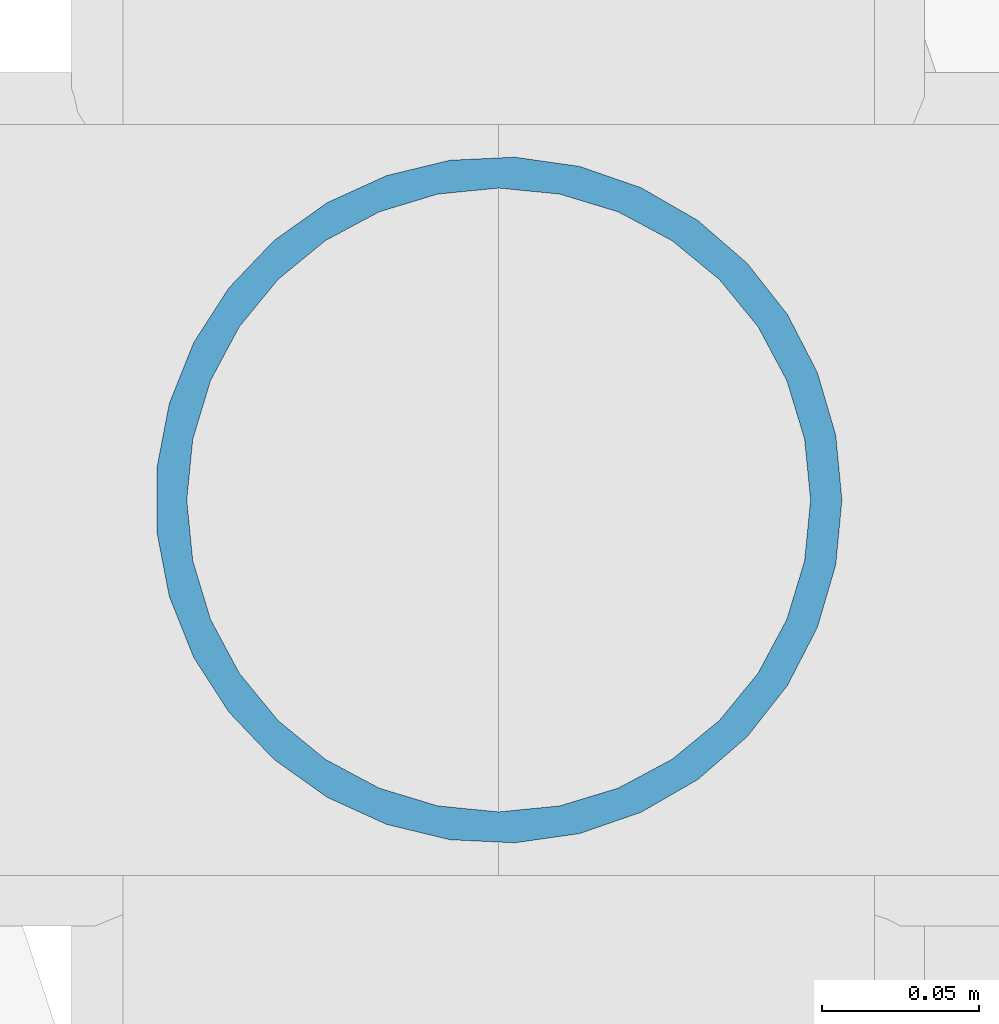
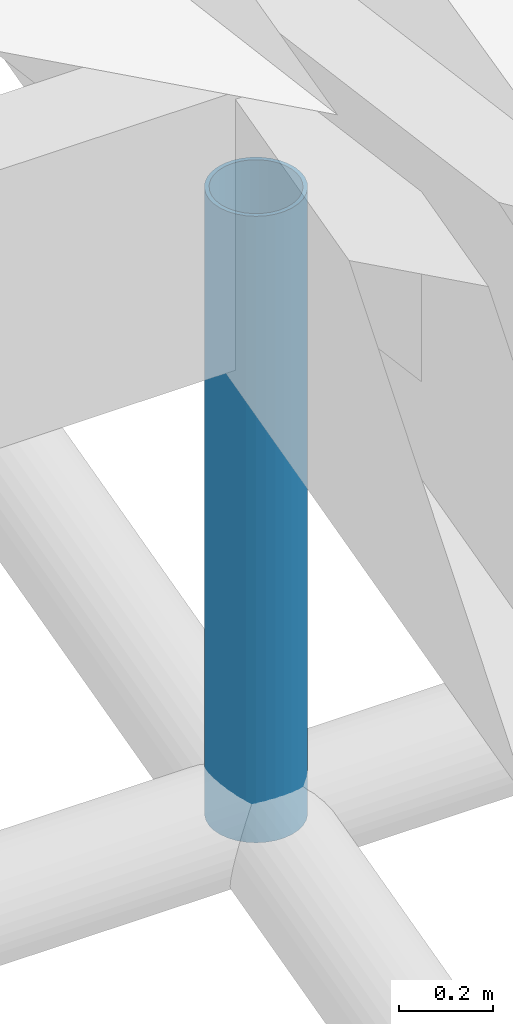
# One storey, part 26 of 80: 1 member.
"""IFC4 building model written with IfcOpenShell, lengths in metres."""

from ifc_helpers import new_model, si_unit, direction, frame, origin, origin_2d, place, context, subcontext, project, spatial, hollow_circle, extrude, material, material_profile, profile_set, type_object, element, save


model = new_model("IFC4")

# Units and contexts
model_context = context("Model", 3, precision=1e-05, world=origin(), true_north=direction((0.0, 1.0)))
body_context = subcontext(model_context, "Body", "Model", "MODEL_VIEW")
ifc_project = project(units=[si_unit("LENGTHUNIT", "METRE"), si_unit("AREAUNIT", "SQUARE_METRE"), si_unit("VOLUMEUNIT", "CUBIC_METRE"), si_unit("PLANEANGLEUNIT", "RADIAN"), si_unit("MASSUNIT", "GRAM", prefix="KILO"), si_unit("THERMODYNAMICTEMPERATUREUNIT", "KELVIN"), si_unit("POWERUNIT", "WATT")], contexts=[model_context])

# Site, building, storey
site_placement = place(None, origin())
site = spatial("IfcSite", under=ifc_project, at=site_placement, CompositionType="ELEMENT")
building_placement = place(site_placement, origin())
building = spatial("IfcBuilding", under=site, at=building_placement, Name="Solmara Park Aquatics Centre", CompositionType="ELEMENT")
storey_placement = place(building_placement, frame((0.0, 0.0, 22.800048828125)))
storey = spatial("IfcBuildingStorey", under=building, at=storey_placement, Name="RF", CompositionType="ELEMENT", Elevation=22.800048828125)

# Member
ifc_material = material(Name="Structural Steel S355", Category="steel")
ifc_material_profile = material_profile(ifc_material, hollow_circle(Radius=0.109619140625, WallThickness=0.010009765625, at=origin_2d()), Name="CHS 219.1x10")
ifc_profile_set = profile_set([ifc_material_profile], Name="Structural Steel S355")
member_type = type_object("IfcMemberType", Name="STR-PST-CHS219", PredefinedType="POST", material=ifc_profile_set)
member_placement = place(storey_placement, frame((66.60009765625, 18.60009765625, -9.58984375), z_axis=(0.0, 0.0, 1.0), x_axis=(1.0, 0.0, 0.0)))
element("IfcMember", 1, at=member_placement, inside=storey, type_object=member_type, Name="Roof Truss Web Post 1234", PredefinedType="POST", context=body_context, shape_type="SweptSolid", body=[
    extrude(hollow_circle(Radius=0.109619140625, WallThickness=0.010009765625, at=origin_2d()), origin(), (0.0, 0.0, 1.0), 1.6201171875),
])

save(model, "model.ifc")
